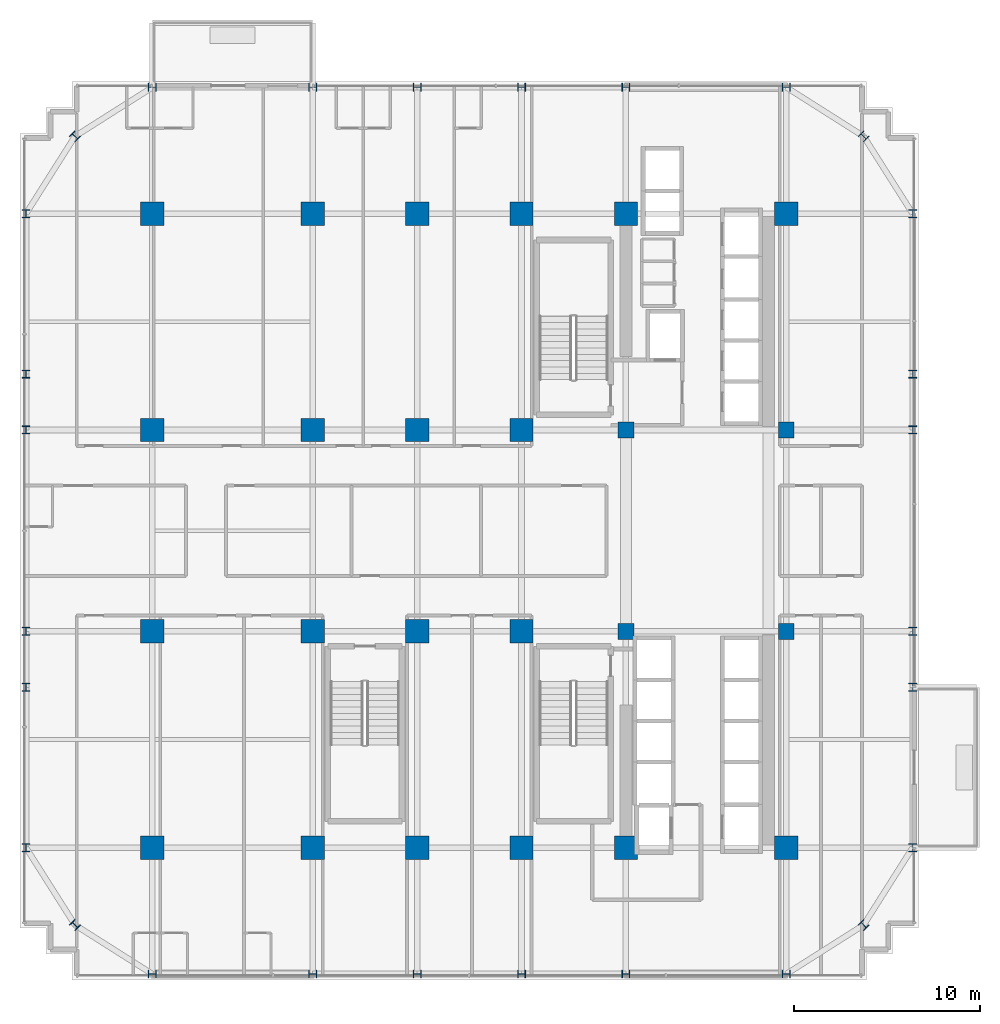
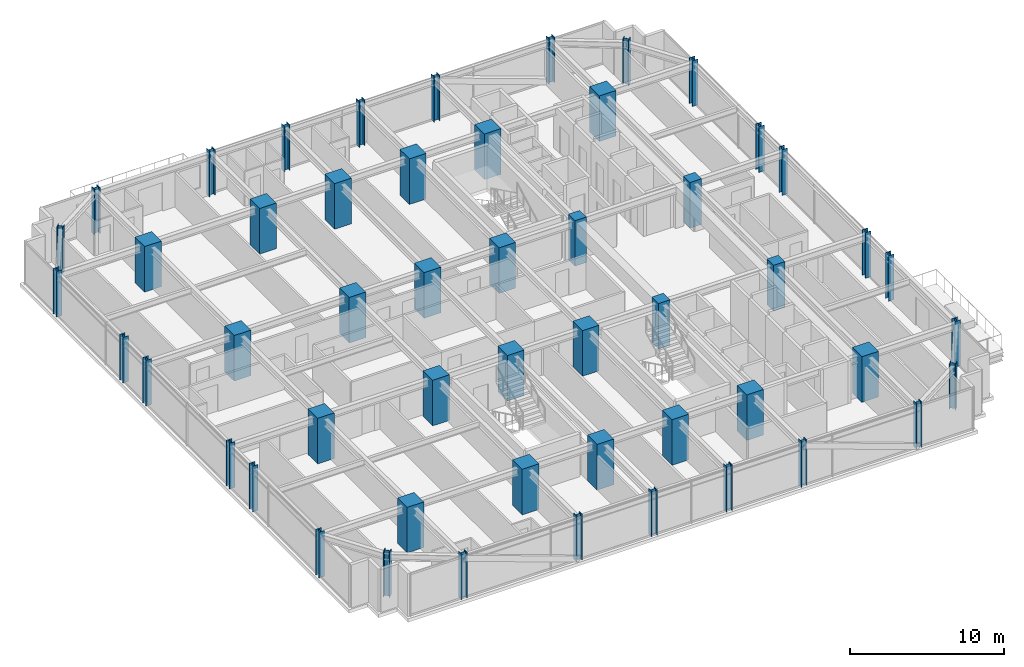
# One storey, part 1 of 34: 52 columns.
"""IFC4 building model written with IfcOpenShell, lengths in metres."""

from ifc_helpers import new_model, si_unit, direction, frame, origin, origin_2d, place, context, subcontext, project, spatial, rectangle, i_section, extrude, source, transform, mapped, material, material_profile, profile_set, type_object, element, save


model = new_model("IFC4")

# Units and contexts
model_context = context("Model", 3, precision=1e-05, world=origin(), true_north=direction((0.0, 1.0)))
body_context = subcontext(model_context, "Body", "Model", "MODEL_VIEW")
ifc_project = project(units=[si_unit("LENGTHUNIT", "METRE"), si_unit("AREAUNIT", "SQUARE_METRE"), si_unit("VOLUMEUNIT", "CUBIC_METRE"), si_unit("PLANEANGLEUNIT", "RADIAN"), si_unit("MASSUNIT", "GRAM", prefix="KILO")], contexts=[model_context])

# Site, building, storey
site_placement = place(None, origin())
site = spatial("IfcSite", under=ifc_project, at=site_placement, CompositionType="ELEMENT")
building_placement = place(site_placement, origin())
building = spatial("IfcBuilding", under=site, at=building_placement, Name="Nahalor Promenade Grand Hotel", CompositionType="ELEMENT")
storey_placement = place(building_placement, frame((0.0, 0.0, 99.25)))
storey = spatial("IfcBuildingStorey", under=building, at=storey_placement, Name="L24", CompositionType="ELEMENT", Elevation=99.25)

# Columns
ifc_material_1 = material(Name="Concrete B-70 (C60/75)", Category="concrete")
ifc_material_profile_1 = material_profile(ifc_material_1, rectangle(XDim=0.85, YDim=0.85, at=origin_2d()), Name="RC 850x850")
ifc_profile_set_1 = profile_set([ifc_material_profile_1], Name="Concrete B-70 (C60/75)")
column_type_1 = type_object("IfcColumnType", Name="Col-Pilaster-850", PredefinedType="PILASTER", material=ifc_profile_set_1)
shared_shape_1 = source(origin(), body_context, "Body", "SweptSolid", [
    extrude(rectangle(XDim=0.85, YDim=0.85, at=origin_2d()), origin(), (0.0, 0.0, 1.0), 3.60498046875),
])
for number, where, z_axis, x_axis, name in (
    (1, (8.39990234375, -5.39990234375, 0.0), (0.0, 0.0, 1.0), (1.0, 0.0, 0.0), "COL-L24-I41"),
    (2, (8.39990234375, 5.39990234375, 0.0), (0.0, 0.0, 1.0), (1.0, 0.0, 0.0), "COL-L24-I42"),
    (3, (17.0, -5.39990234375, 0.0), (0.0, 0.0, 1.0), (1.0, 0.0, 0.0), "COL-L24-I51"),
    (4, (17.0, 5.39990234375, 0.0), (0.0, 0.0, 1.0), (1.0, 0.0, 0.0), "COL-L24-I52"),
):
    element("IfcColumn", number, at=place(storey_placement, frame(where, z_axis=z_axis, x_axis=x_axis)), inside=storey, type_object=column_type_1, Name=name, PredefinedType="PILASTER", context=body_context, shape_type="MappedRepresentation", body=[
        mapped(shared_shape_1, transform((0.0, 0.0, 0.0), scale=1.0)),
    ])
ifc_material_2 = material(Name="Concrete B-60 (C50/60)", Category="concrete")
ifc_material_profile_2 = material_profile(ifc_material_2, rectangle(XDim=1.25, YDim=1.25, at=origin_2d()), Name="RC 1250x1250")
ifc_profile_set_2 = profile_set([ifc_material_profile_2], Name="Concrete B-60 (C50/60)")
column_type_2 = type_object("IfcColumnType", Name="Col-RC-1250", PredefinedType="COLUMN", material=ifc_profile_set_2)
shared_shape_2 = source(origin(), body_context, "Body", "SweptSolid", [
    extrude(rectangle(XDim=1.25, YDim=1.25, at=origin_2d()), origin(), (0.0, 0.0, 1.0), 3.60498046875),
])
for number, where, z_axis, x_axis, name in (
    (5, (-17.0, -17.0, 0.0), (0.0, 0.0, 1.0), (1.0, 0.0, 0.0), "COL-L24-I00"),
    (6, (-17.0, -5.39990234375, 0.0), (0.0, 0.0, 1.0), (1.0, 0.0, 0.0), "COL-L24-I01"),
    (7, (-17.0, 5.39990234375, 0.0), (0.0, 0.0, 1.0), (1.0, 0.0, 0.0), "COL-L24-I02"),
    (8, (-17.0, 17.0, 0.0), (0.0, 0.0, 1.0), (1.0, 0.0, 0.0), "COL-L24-I03"),
    (9, (-8.39990234375, -17.0, 0.0), (0.0, 0.0, 1.0), (1.0, 0.0, 0.0), "COL-L24-I10"),
    (10, (-8.39990234375, -5.39990234375, 0.0), (0.0, 0.0, 1.0), (1.0, 0.0, 0.0), "COL-L24-I11"),
    (11, (-8.39990234375, 5.39990234375, 0.0), (0.0, 0.0, 1.0), (1.0, 0.0, 0.0), "COL-L24-I12"),
    (12, (-8.39990234375, 17.0, 0.0), (0.0, 0.0, 1.0), (1.0, 0.0, 0.0), "COL-L24-I13"),
    (13, (-2.800048828125, -17.0, 0.0), (0.0, 0.0, 1.0), (1.0, 0.0, 0.0), "COL-L24-I20"),
    (14, (-2.800048828125, -5.39990234375, 0.0), (0.0, 0.0, 1.0), (1.0, 0.0, 0.0), "COL-L24-I21"),
    (15, (-2.800048828125, 5.39990234375, 0.0), (0.0, 0.0, 1.0), (1.0, 0.0, 0.0), "COL-L24-I22"),
    (16, (-2.800048828125, 17.0, 0.0), (0.0, 0.0, 1.0), (1.0, 0.0, 0.0), "COL-L24-I23"),
    (17, (2.800048828125, -17.0, 0.0), (0.0, 0.0, 1.0), (1.0, 0.0, 0.0), "COL-L24-I30"),
    (18, (2.800048828125, -5.39990234375, 0.0), (0.0, 0.0, 1.0), (1.0, 0.0, 0.0), "COL-L24-I31"),
    (19, (2.800048828125, 5.39990234375, 0.0), (0.0, 0.0, 1.0), (1.0, 0.0, 0.0), "COL-L24-I32"),
    (20, (2.800048828125, 17.0, 0.0), (0.0, 0.0, 1.0), (1.0, 0.0, 0.0), "COL-L24-I33"),
    (21, (8.39990234375, -17.0, 0.0), (0.0, 0.0, 1.0), (1.0, 0.0, 0.0), "COL-L24-I40"),
    (22, (8.39990234375, 17.0, 0.0), (0.0, 0.0, 1.0), (1.0, 0.0, 0.0), "COL-L24-I43"),
    (23, (17.0, -17.0, 0.0), (0.0, 0.0, 1.0), (1.0, 0.0, 0.0), "COL-L24-I50"),
    (24, (17.0, 17.0, 0.0), (0.0, 0.0, 1.0), (1.0, 0.0, 0.0), "COL-L24-I53"),
):
    element("IfcColumn", number, at=place(storey_placement, frame(where, z_axis=z_axis, x_axis=x_axis)), inside=storey, type_object=column_type_2, Name=name, PredefinedType="COLUMN", context=body_context, shape_type="MappedRepresentation", body=[
        mapped(shared_shape_2, transform((0.0, 0.0, 0.0), scale=1.0)),
    ])
ifc_material_3 = material(Name="Steel S355J2", Category="steel")
ifc_material_profile_3 = material_profile(ifc_material_3, i_section(OverallWidth=0.409, OverallDepth=0.43, WebThickness=0.0208, FlangeThickness=0.0335, at=origin_2d()), Name="HD 400x421")
ifc_profile_set_3 = profile_set([ifc_material_profile_3], Name="Steel S355J2")
column_type_3 = type_object("IfcColumnType", Name="Col-Steel-HD421", PredefinedType="COLUMN", material=ifc_profile_set_3)
shared_shape_3 = source(origin(), body_context, "Body", "SweptSolid", [
    extrude(i_section(OverallWidth=0.409, OverallDepth=0.43, WebThickness=0.0208, FlangeThickness=0.0335, at=origin_2d()), origin(), (0.0, 0.0, 1.0), 3.60498046875),
])
for number, where, z_axis, x_axis, name in (
    (25, (-23.780029296875, -17.0, 0.0), (0.0, 0.0, 1.0), (1.0, 0.0, 0.0), "COL-L24-PW-W0"),
    (26, (23.780029296875, -17.0, 0.0), (0.0, 0.0, 1.0), (1.0, 0.0, 0.0), "COL-L24-PW-E0"),
    (27, (-23.780029296875, -8.39990234375, 0.0), (0.0, 0.0, 1.0), (1.0, 0.0, 0.0), "COL-L24-PW-W1"),
    (28, (23.780029296875, -8.39990234375, 0.0), (0.0, 0.0, 1.0), (1.0, 0.0, 0.0), "COL-L24-PW-E1"),
    (29, (-23.780029296875, -5.39990234375, 0.0), (0.0, 0.0, 1.0), (1.0, 0.0, 0.0), "COL-L24-PW-W2"),
    (30, (23.780029296875, -5.39990234375, 0.0), (0.0, 0.0, 1.0), (1.0, 0.0, 0.0), "COL-L24-PW-E2"),
    (31, (-23.780029296875, 5.39990234375, 0.0), (0.0, 0.0, 1.0), (1.0, 0.0, 0.0), "COL-L24-PW-W3"),
    (32, (23.780029296875, 5.39990234375, 0.0), (0.0, 0.0, 1.0), (1.0, 0.0, 0.0), "COL-L24-PW-E3"),
    (33, (-23.780029296875, 8.39990234375, 0.0), (0.0, 0.0, 1.0), (1.0, 0.0, 0.0), "COL-L24-PW-W4"),
    (34, (23.780029296875, 8.39990234375, 0.0), (0.0, 0.0, 1.0), (1.0, 0.0, 0.0), "COL-L24-PW-E4"),
    (35, (-23.780029296875, 17.0, 0.0), (0.0, 0.0, 1.0), (1.0, 0.0, 0.0), "COL-L24-PW-W5"),
    (36, (23.780029296875, 17.0, 0.0), (0.0, 0.0, 1.0), (1.0, 0.0, 0.0), "COL-L24-PW-E5"),
    (37, (-17.0, -23.780029296875, 0.0), (0.0, 0.0, 1.0), (0.0, 1.0, 0.0), "COL-L24-PN-S0"),
    (38, (-17.0, 23.780029296875, 0.0), (0.0, 0.0, 1.0), (0.0, 1.0, 0.0), "COL-L24-PN-N0"),
    (39, (-8.39990234375, -23.780029296875, 0.0), (0.0, 0.0, 1.0), (0.0, 1.0, 0.0), "COL-L24-PN-S1"),
    (40, (-8.39990234375, 23.780029296875, 0.0), (0.0, 0.0, 1.0), (0.0, 1.0, 0.0), "COL-L24-PN-N1"),
    (41, (-2.800048828125, -23.780029296875, 0.0), (0.0, 0.0, 1.0), (0.0, 1.0, 0.0), "COL-L24-PN-S2"),
    (42, (-2.800048828125, 23.780029296875, 0.0), (0.0, 0.0, 1.0), (0.0, 1.0, 0.0), "COL-L24-PN-N2"),
    (43, (2.800048828125, -23.780029296875, 0.0), (0.0, 0.0, 1.0), (0.0, 1.0, 0.0), "COL-L24-PN-S3"),
    (44, (2.800048828125, 23.780029296875, 0.0), (0.0, 0.0, 1.0), (0.0, 1.0, 0.0), "COL-L24-PN-N3"),
    (45, (8.39990234375, -23.780029296875, 0.0), (0.0, 0.0, 1.0), (0.0, 1.0, 0.0), "COL-L24-PN-S4"),
    (46, (8.39990234375, 23.780029296875, 0.0), (0.0, 0.0, 1.0), (0.0, 1.0, 0.0), "COL-L24-PN-N4"),
    (47, (17.0, -23.780029296875, 0.0), (0.0, 0.0, 1.0), (0.0, 1.0, 0.0), "COL-L24-PN-S5"),
    (48, (17.0, 23.780029296875, 0.0), (0.0, 0.0, 1.0), (0.0, 1.0, 0.0), "COL-L24-PN-N5"),
    (49, (-21.14990234375, -21.14990234375, 0.0), (0.0, 0.0, 1.0), (0.707106781187, 0.707106781187, 0.0), "COL-L24-CRN-SW"),
    (50, (-21.14990234375, 21.14990234375, 0.0), (0.0, 0.0, 1.0), (0.707106781187, 0.707106781187, 0.0), "COL-L24-CRN-NW"),
    (51, (21.14990234375, -21.14990234375, 0.0), (0.0, 0.0, 1.0), (0.707106781187, 0.707106781187, 0.0), "COL-L24-CRN-SE"),
    (52, (21.14990234375, 21.14990234375, 0.0), (0.0, 0.0, 1.0), (0.707106781187, 0.707106781187, 0.0), "COL-L24-CRN-NE"),
):
    element("IfcColumn", number, at=place(storey_placement, frame(where, z_axis=z_axis, x_axis=x_axis)), inside=storey, type_object=column_type_3, Name=name, PredefinedType="COLUMN", context=body_context, shape_type="MappedRepresentation", body=[
        mapped(shared_shape_3, transform((0.0, 0.0, 0.0), scale=1.0)),
    ])

save(model, "model.ifc")
